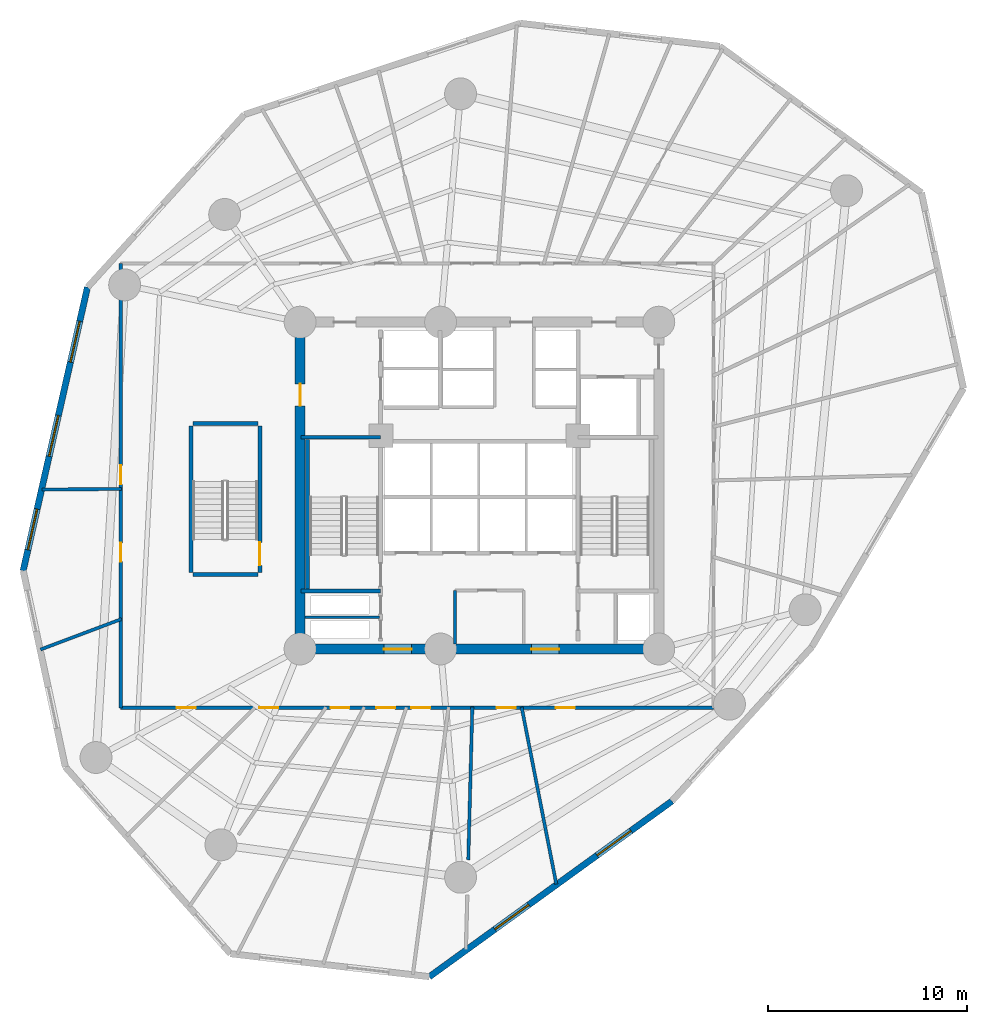
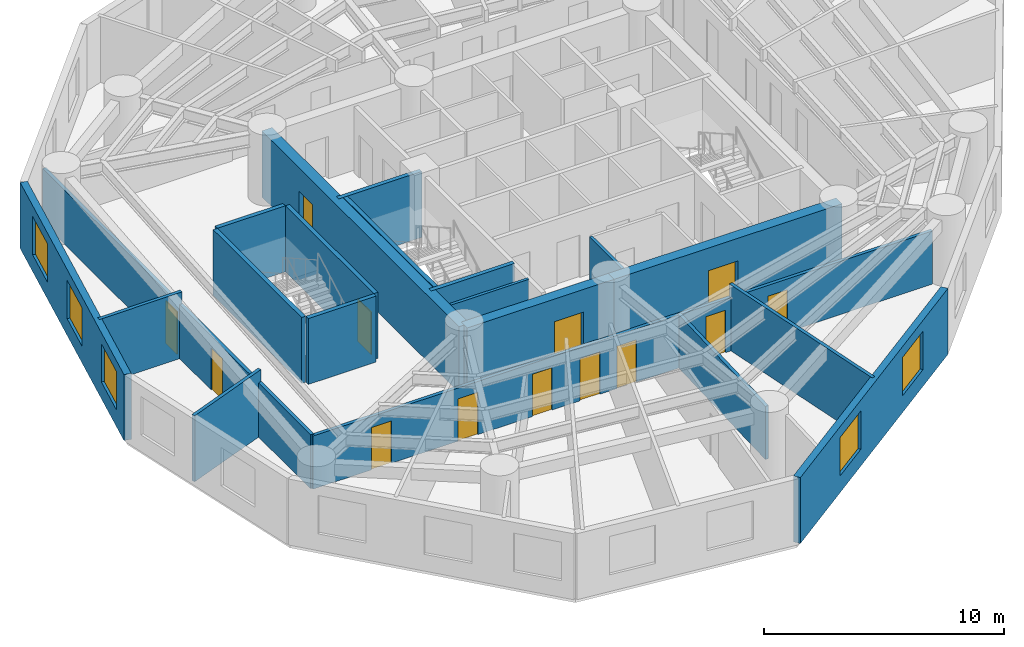
# One storey, part 3 of 7: 20 walls, 13 doors, 5 windows, 18 openings.
"""IFC4 building model written with IfcOpenShell, lengths in metres."""

from ifc_helpers import new_model, si_unit, direction, frame, frame_2d, origin, origin_with_axes, place, context, subcontext, project, spatial, rectangle, extrude, source, transform, mapped, material, layer, layer_set, type_object, element, fill, save


model = new_model("IFC4")

# Units and contexts
model_context = context("Model", 3, precision=1e-05, world=origin(), true_north=direction((0.0, 1.0)))
body_context = subcontext(model_context, "Body", "Model", "MODEL_VIEW")
ifc_project = project(units=[si_unit("LENGTHUNIT", "METRE"), si_unit("AREAUNIT", "SQUARE_METRE"), si_unit("VOLUMEUNIT", "CUBIC_METRE"), si_unit("PLANEANGLEUNIT", "RADIAN"), si_unit("MASSUNIT", "GRAM", prefix="KILO")], contexts=[model_context])

# Site, building, storey
site_placement = place(None, origin())
site = spatial("IfcSite", under=ifc_project, at=site_placement, CompositionType="ELEMENT")
building_placement = place(site_placement, origin())
building = spatial("IfcBuilding", under=site, at=building_placement, Name="Karkom Vertical University and Central Library", CompositionType="ELEMENT")
storey_placement = place(building_placement, frame((0.0, 0.0, 80.5)))
storey = spatial("IfcBuildingStorey", under=building, at=storey_placement, Name="L21", CompositionType="ELEMENT", Elevation=80.5)

# Wall, openings, windows
ifc_material_1 = material(Name="Brick-faced precast concrete C45/55", Category="masonry")
ifc_layer_1 = layer(ifc_material_1, 0.320068359375)
ifc_layer_set_1 = layer_set([ifc_layer_1], Name="Brick-faced precast concrete C45/55")
wall_type_1 = type_object("IfcWallType", Name="ENV-WL-BRK-320", PredefinedType="SOLIDWALL", material=ifc_layer_set_1)
wall_1_placement = place(storey_placement, frame((8.82958984375, 36.453857421875, 0.0), z_axis=(0.0, 0.0, 1.0), x_axis=(-0.221187186637, -0.975231371761, 0.0)))
wall_1 = element("IfcWall", 1, at=wall_1_placement, inside=storey, type_object=wall_type_1, Name="Level 21 Brick-Faced Precast Facade Wall 02", PredefinedType="SOLIDWALL", context=body_context, shape_type="SweptSolid", body=[
    extrude(rectangle(XDim=14.591796875, YDim=0.320068359375, at=frame_2d((7.2958984375, 0.0))), origin(), (0.0, 0.0, 1.0), 3.35009765625),
])
opening_1_placement = place(wall_1_placement, frame((1.753662109375, 0.0, 0.85009765625)))
opening_1 = element("IfcOpeningElement", 2, at=opening_1_placement, cuts=wall_1, Name="Opening WN-03", PredefinedType="OPENING", context=body_context, shape_type="SweptSolid", body=[
    extrude(rectangle(XDim=2.10009765625, YDim=1.949951171875, at=frame_2d((1.050048828125, 0.97509765625))), frame((0.0, 0.169921875, 0.0), z_axis=(0.0, -1.0, 0.0), x_axis=(1.0, 0.0, 0.0)), (0.0, 0.0, 1.0), 0.340087890625),
])
opening_2_placement = place(wall_1_placement, frame((6.600830078125, 0.0, 0.85009765625)))
opening_2 = element("IfcOpeningElement", 3, at=opening_2_placement, cuts=wall_1, Name="Opening WN-03", PredefinedType="OPENING", context=body_context, shape_type="SweptSolid", body=[
    extrude(rectangle(XDim=2.10009765625, YDim=1.949951171875, at=frame_2d((1.050048828125, 0.97509765625))), frame((0.0, 0.169921875, 0.0), z_axis=(0.0, -1.0, 0.0), x_axis=(1.0, 0.0, 0.0)), (0.0, 0.0, 1.0), 0.340087890625),
])
opening_3_placement = place(wall_1_placement, frame((11.413330078125, 0.0, 0.85009765625)))
opening_3 = element("IfcOpeningElement", 4, at=opening_3_placement, cuts=wall_1, Name="Opening WN-03", PredefinedType="OPENING", context=body_context, shape_type="SweptSolid", body=[
    extrude(rectangle(XDim=2.10009765625, YDim=1.949951171875, at=frame_2d((1.050048828125, 0.97509765625))), frame((0.0, 0.169921875, 0.0), z_axis=(0.0, -1.0, 0.0), x_axis=(1.0, 0.0, 0.0)), (0.0, 0.0, 1.0), 0.340087890625),
])
ifc_material_2 = material(Name="Aluminium thermal-break frame with solar-control IGU", Category="aluminium")
window_type = type_object("IfcWindowType", Name="ENV-WIN-WN-03", PartitioningType="SINGLE_PANEL", PredefinedType="WINDOW", material=ifc_material_2)
shared_shape_1 = source(origin_with_axes(), body_context, "Body", "SweptSolid", [
    extrude(rectangle(XDim=2.10009765625, YDim=1.949951171875, at=frame_2d((1.050048828125, 0.97509765625))), frame((0.0, 0.030029296875, 0.0), z_axis=(0.0, -1.0, 0.0), x_axis=(1.0, 0.0, 0.0)), (0.0, 0.0, 1.0), 0.06005859375),
])
window_1_placement = place(opening_1_placement, origin())
window_1 = element("IfcWindow", 5, at=window_1_placement, inside=storey, type_object=window_type, Name="Level 21 Punched Window 2.1", OverallHeight=1.949951171875, OverallWidth=2.10009765625, PartitioningType="SINGLE_PANEL", PredefinedType="WINDOW", context=body_context, shape_type="MappedRepresentation", body=[
    mapped(shared_shape_1, transform((0.0, 0.0, 0.0), scale=1.0)),
])
fill(opening_1, window_1)
window_2_placement = place(opening_2_placement, origin())
window_2 = element("IfcWindow", 6, at=window_2_placement, inside=storey, type_object=window_type, Name="Level 21 Punched Window 2.2", OverallHeight=1.949951171875, OverallWidth=2.10009765625, PartitioningType="SINGLE_PANEL", PredefinedType="WINDOW", context=body_context, shape_type="MappedRepresentation", body=[
    mapped(shared_shape_1, transform((0.0, 0.0, 0.0), scale=1.0)),
])
fill(opening_2, window_2)
window_3_placement = place(opening_3_placement, origin())
window_3 = element("IfcWindow", 7, at=window_3_placement, inside=storey, type_object=window_type, Name="Level 21 Punched Window 2.3", OverallHeight=1.949951171875, OverallWidth=2.10009765625, PartitioningType="SINGLE_PANEL", PredefinedType="WINDOW", context=body_context, shape_type="MappedRepresentation", body=[
    mapped(shared_shape_1, transform((0.0, 0.0, 0.0), scale=1.0)),
])
fill(opening_3, window_3)

wall_2_placement = place(storey_placement, frame((25.983642578125, 1.85009765625, 0.0), z_axis=(0.0, 0.0, 1.0), x_axis=(0.809991859076, 0.586441120856, 0.0)))
wall_2 = element("IfcWall", 8, at=wall_2_placement, inside=storey, type_object=wall_type_1, Name="Level 21 Brick-Faced Precast Facade Wall 06", PredefinedType="SOLIDWALL", context=body_context, shape_type="SweptSolid", body=[
    extrude(rectangle(XDim=15.034912109375, YDim=0.320068359375, at=frame_2d((7.517578125, 0.0))), origin(), (0.0, 0.0, 1.0), 3.35009765625),
])
opening_4_placement = place(wall_2_placement, frame((4.060791015625, 0.0, 0.85009765625)))
opening_4 = element("IfcOpeningElement", 9, at=opening_4_placement, cuts=wall_2, Name="Opening WN-03", PredefinedType="OPENING", context=body_context, shape_type="SweptSolid", body=[
    extrude(rectangle(XDim=2.10009765625, YDim=1.949951171875, at=frame_2d((1.050048828125, 0.97509765625))), frame((0.0, 0.169921875, 0.0), z_axis=(0.0, -1.0, 0.0), x_axis=(1.0, 0.0, 0.0)), (0.0, 0.0, 1.0), 0.340087890625),
])
opening_5_placement = place(wall_2_placement, frame((10.390380859375, 0.0, 0.85009765625)))
opening_5 = element("IfcOpeningElement", 10, at=opening_5_placement, cuts=wall_2, Name="Opening WN-03", PredefinedType="OPENING", context=body_context, shape_type="SweptSolid", body=[
    extrude(rectangle(XDim=2.10009765625, YDim=1.949951171875, at=frame_2d((1.050048828125, 0.97509765625))), frame((0.0, 0.169921875, 0.0), z_axis=(0.0, -1.0, 0.0), x_axis=(1.0, 0.0, 0.0)), (0.0, 0.0, 1.0), 0.340087890625),
])
window_4_placement = place(opening_4_placement, origin())
window_4 = element("IfcWindow", 11, at=window_4_placement, inside=storey, type_object=window_type, Name="Level 21 Punched Window 6.1", OverallHeight=1.949951171875, OverallWidth=2.10009765625, PartitioningType="SINGLE_PANEL", PredefinedType="WINDOW", context=body_context, shape_type="MappedRepresentation", body=[
    mapped(shared_shape_1, transform((0.0, 0.0, 0.0), scale=1.0)),
])
fill(opening_4, window_4)
window_5_placement = place(opening_5_placement, origin())
window_5 = element("IfcWindow", 12, at=window_5_placement, inside=storey, type_object=window_type, Name="Level 21 Punched Window 6.2", OverallHeight=1.949951171875, OverallWidth=2.10009765625, PartitioningType="SINGLE_PANEL", PredefinedType="WINDOW", context=body_context, shape_type="MappedRepresentation", body=[
    mapped(shared_shape_1, transform((0.0, 0.0, 0.0), scale=1.0)),
])
fill(opening_5, window_5)

# Wall, openings, doors
ifc_material_3 = material(Name="Insulated metal-stud drywall 160mm", Category="gypsum")
ifc_layer_2 = layer(ifc_material_3, 0.159912109375)
ifc_layer_set_2 = layer_set([ifc_layer_2], Name="Insulated metal-stud drywall 160mm")
wall_type_2 = type_object("IfcWallType", Name="INT-WL-COR-160", PredefinedType="PARTITIONING", material=ifc_layer_set_2)
wall_3_placement = place(storey_placement, frame((40.25, 15.35009765625, 0.0), z_axis=(0.0, 0.0, 1.0), x_axis=(-1.0, 0.0, 0.0)))
wall_3 = element("IfcWall", 13, at=wall_3_placement, inside=storey, type_object=wall_type_2, Name="Level 21 Interior Partition Wall L21-CORW-CW-001", PredefinedType="PARTITIONING", context=body_context, shape_type="SweptSolid", body=[
    extrude(rectangle(XDim=29.75, YDim=0.159912109375, at=frame_2d((14.875, 0.0))), origin(), (0.0, 0.0, 1.0), 2.699951171875),
])
opening_6_placement = place(wall_3_placement, frame((25.98828125, 0.0, 0.0)))
opening_6 = element("IfcOpeningElement", 14, at=opening_6_placement, cuts=wall_3, Name="Opening FD-RM2", PredefinedType="OPENING", context=body_context, shape_type="SweptSolid", body=[
    extrude(rectangle(XDim=0.9599609375, YDim=2.14990234375, at=frame_2d((0.47998046875, 1.074951171875))), frame((0.0, 0.08984375, 0.0), z_axis=(0.0, -1.0, 0.0), x_axis=(1.0, 0.0, 0.0)), (0.0, 0.0, 1.0), 0.179931640625),
])
opening_7_placement = place(wall_3_placement, frame((21.83740234375, 0.0, 0.0)))
opening_7 = element("IfcOpeningElement", 15, at=opening_7_placement, cuts=wall_3, Name="Opening D-RM1", PredefinedType="OPENING", context=body_context, shape_type="SweptSolid", body=[
    extrude(rectangle(XDim=0.949951171875, YDim=2.14990234375, at=frame_2d((0.47509765625, 1.074951171875))), frame((0.0, 0.08984375, 0.0), z_axis=(0.0, -1.0, 0.0), x_axis=(1.0, 0.0, 0.0)), (0.0, 0.0, 1.0), 0.179931640625),
])
opening_8_placement = place(wall_3_placement, frame((18.2724609375, 0.0, 0.0)))
opening_8 = element("IfcOpeningElement", 16, at=opening_8_placement, cuts=wall_3, Name="Opening D-RM1", PredefinedType="OPENING", context=body_context, shape_type="SweptSolid", body=[
    extrude(rectangle(XDim=0.949951171875, YDim=2.14990234375, at=frame_2d((0.47509765625, 1.074951171875))), frame((0.0, 0.08984375, 0.0), z_axis=(0.0, -1.0, 0.0), x_axis=(1.0, 0.0, 0.0)), (0.0, 0.0, 1.0), 0.179931640625),
])
opening_9_placement = place(wall_3_placement, frame((15.977294921875, 0.0, 0.0)))
opening_9 = element("IfcOpeningElement", 17, at=opening_9_placement, cuts=wall_3, Name="Opening D-RM1", PredefinedType="OPENING", context=body_context, shape_type="SweptSolid", body=[
    extrude(rectangle(XDim=0.949951171875, YDim=2.14990234375, at=frame_2d((0.47509765625, 1.074951171875))), frame((0.0, 0.08984375, 0.0), z_axis=(0.0, -1.0, 0.0), x_axis=(1.0, 0.0, 0.0)), (0.0, 0.0, 1.0), 0.179931640625),
])
opening_10_placement = place(wall_3_placement, frame((14.2099609375, 0.0, 0.0)))
opening_10 = element("IfcOpeningElement", 18, at=opening_10_placement, cuts=wall_3, Name="Opening D-RM1", PredefinedType="OPENING", context=body_context, shape_type="SweptSolid", body=[
    extrude(rectangle(XDim=0.949951171875, YDim=2.14990234375, at=frame_2d((0.47509765625, 1.074951171875))), frame((0.0, 0.08984375, 0.0), z_axis=(0.0, -1.0, 0.0), x_axis=(1.0, 0.0, 0.0)), (0.0, 0.0, 1.0), 0.179931640625),
])
opening_11_placement = place(wall_3_placement, frame((9.9375, 0.0, 0.0)))
opening_11 = element("IfcOpeningElement", 19, at=opening_11_placement, cuts=wall_3, Name="Opening D-RM1", PredefinedType="OPENING", context=body_context, shape_type="SweptSolid", body=[
    extrude(rectangle(XDim=0.949951171875, YDim=2.14990234375, at=frame_2d((0.47509765625, 1.074951171875))), frame((0.0, 0.08984375, 0.0), z_axis=(0.0, -1.0, 0.0), x_axis=(1.0, 0.0, 0.0)), (0.0, 0.0, 1.0), 0.179931640625),
])
opening_12_placement = place(wall_3_placement, frame((6.96240234375, 0.0, 0.0)))
opening_12 = element("IfcOpeningElement", 20, at=opening_12_placement, cuts=wall_3, Name="Opening D-RM1", PredefinedType="OPENING", context=body_context, shape_type="SweptSolid", body=[
    extrude(rectangle(XDim=0.949951171875, YDim=2.14990234375, at=frame_2d((0.47509765625, 1.074951171875))), frame((0.0, 0.08984375, 0.0), z_axis=(0.0, -1.0, 0.0), x_axis=(1.0, 0.0, 0.0)), (0.0, 0.0, 1.0), 0.179931640625),
])
ifc_material_4 = material(Name="Fire-rated oak veneer door", Category="wood")
door_type_1 = type_object("IfcDoorType", Name="INT-DR-FRM2", OperationType="NOTDEFINED", PredefinedType="DOOR", material=ifc_material_4)
shared_shape_2 = source(origin_with_axes(), body_context, "Body", "SweptSolid", [
    extrude(rectangle(XDim=0.9599609375, YDim=2.14990234375, at=frame_2d((0.47998046875, 1.074951171875))), frame((0.0, 0.02490234375, 0.0), z_axis=(0.0, -1.0, 0.0), x_axis=(1.0, 0.0, 0.0)), (0.0, 0.0, 1.0), 0.050048828125),
])
door_1_placement = place(opening_6_placement, origin())
door_1 = element("IfcDoor", 21, at=door_1_placement, inside=storey, type_object=door_type_1, Name="Level 21 Room Entry Door 010", OperationType="SINGLE_SWING_RIGHT", OverallHeight=2.14990234375, OverallWidth=0.9599609375, PredefinedType="DOOR", context=body_context, shape_type="MappedRepresentation", body=[
    mapped(shared_shape_2, transform((0.0, 0.0, 0.0), scale=1.0)),
])
fill(opening_6, door_1)
ifc_material_5 = material(Name="Solid-core oak veneer door", Category="wood")
door_type_2 = type_object("IfcDoorType", Name="INT-DR-RM1", OperationType="NOTDEFINED", PredefinedType="DOOR", material=ifc_material_5)
shared_shape_3 = source(origin_with_axes(), body_context, "Body", "SweptSolid", [
    extrude(rectangle(XDim=0.949951171875, YDim=2.14990234375, at=frame_2d((0.47509765625, 1.074951171875))), frame((0.0, 0.02490234375, 0.0), z_axis=(0.0, -1.0, 0.0), x_axis=(1.0, 0.0, 0.0)), (0.0, 0.0, 1.0), 0.050048828125),
])
door_2_placement = place(opening_7_placement, origin())
door_2 = element("IfcDoor", 22, at=door_2_placement, inside=storey, type_object=door_type_2, Name="Level 21 Room Entry Door 020", OperationType="SINGLE_SWING_LEFT", OverallHeight=2.14990234375, OverallWidth=0.949951171875, PredefinedType="DOOR", context=body_context, shape_type="MappedRepresentation", body=[
    mapped(shared_shape_3, transform((0.0, 0.0, 0.0), scale=1.0)),
])
fill(opening_7, door_2)
door_3_placement = place(opening_8_placement, origin())
door_3 = element("IfcDoor", 23, at=door_3_placement, inside=storey, type_object=door_type_2, Name="Level 21 Room Entry Door 030", OperationType="SINGLE_SWING_RIGHT", OverallHeight=2.14990234375, OverallWidth=0.949951171875, PredefinedType="DOOR", context=body_context, shape_type="MappedRepresentation", body=[
    mapped(shared_shape_3, transform((0.0, 0.0, 0.0), scale=1.0)),
])
fill(opening_8, door_3)
door_4_placement = place(opening_9_placement, origin())
door_4 = element("IfcDoor", 24, at=door_4_placement, inside=storey, type_object=door_type_2, Name="Level 21 Room Entry Door 040", OperationType="SINGLE_SWING_LEFT", OverallHeight=2.14990234375, OverallWidth=0.949951171875, PredefinedType="DOOR", context=body_context, shape_type="MappedRepresentation", body=[
    mapped(shared_shape_3, transform((0.0, 0.0, 0.0), scale=1.0)),
])
fill(opening_9, door_4)
door_5_placement = place(opening_10_placement, origin())
door_5 = element("IfcDoor", 25, at=door_5_placement, inside=storey, type_object=door_type_2, Name="Level 21 Room Entry Door 050", OperationType="SINGLE_SWING_RIGHT", OverallHeight=2.14990234375, OverallWidth=0.949951171875, PredefinedType="DOOR", context=body_context, shape_type="MappedRepresentation", body=[
    mapped(shared_shape_3, transform((0.0, 0.0, 0.0), scale=1.0)),
])
fill(opening_10, door_5)
door_6_placement = place(opening_11_placement, origin())
door_6 = element("IfcDoor", 26, at=door_6_placement, inside=storey, type_object=door_type_2, Name="Level 21 Room Entry Door 070", OperationType="SINGLE_SWING_LEFT", OverallHeight=2.14990234375, OverallWidth=0.949951171875, PredefinedType="DOOR", context=body_context, shape_type="MappedRepresentation", body=[
    mapped(shared_shape_3, transform((0.0, 0.0, 0.0), scale=1.0)),
])
fill(opening_11, door_6)
door_7_placement = place(opening_12_placement, origin())
door_7 = element("IfcDoor", 27, at=door_7_placement, inside=storey, type_object=door_type_2, Name="Level 21 Room Entry Door 080", OperationType="SINGLE_SWING_RIGHT", OverallHeight=2.14990234375, OverallWidth=0.949951171875, PredefinedType="DOOR", context=body_context, shape_type="MappedRepresentation", body=[
    mapped(shared_shape_3, transform((0.0, 0.0, 0.0), scale=1.0)),
])
fill(opening_12, door_7)

wall_4_placement = place(storey_placement, frame((10.5, 15.35009765625, 0.0), z_axis=(0.0, 0.0, 1.0), x_axis=(0.0, 1.0, 0.0)))
wall_4 = element("IfcWall", 28, at=wall_4_placement, inside=storey, type_object=wall_type_2, Name="Level 21 Interior Partition Wall L21-CORW-CW-002", PredefinedType="PARTITIONING", context=body_context, shape_type="SweptSolid", body=[
    extrude(rectangle(XDim=22.2998046875, YDim=0.159912109375, at=frame_2d((11.14990234375, 0.0))), origin(), (0.0, 0.0, 1.0), 2.75),
])
opening_13_placement = place(wall_4_placement, frame((7.330078125, 0.0, 0.0)))
opening_13 = element("IfcOpeningElement", 29, at=opening_13_placement, cuts=wall_4, Name="Opening D-RM1", PredefinedType="OPENING", context=body_context, shape_type="SweptSolid", body=[
    extrude(rectangle(XDim=0.949951171875, YDim=2.14990234375, at=frame_2d((0.47509765625, 1.074951171875))), frame((0.0, 0.08984375, 0.0), z_axis=(0.0, -1.0, 0.0), x_axis=(1.0, 0.0, 0.0)), (0.0, 0.0, 1.0), 0.179931640625),
])
opening_14_placement = place(wall_4_placement, frame((11.215087890625, 0.0, 0.0)))
opening_14 = element("IfcOpeningElement", 30, at=opening_14_placement, cuts=wall_4, Name="Opening D-RM1", PredefinedType="OPENING", context=body_context, shape_type="SweptSolid", body=[
    extrude(rectangle(XDim=0.949951171875, YDim=2.14990234375, at=frame_2d((0.47509765625, 1.074951171875))), frame((0.0, 0.08984375, 0.0), z_axis=(0.0, -1.0, 0.0), x_axis=(1.0, 0.0, 0.0)), (0.0, 0.0, 1.0), 0.179931640625),
])
door_8_placement = place(opening_13_placement, origin())
door_8 = element("IfcDoor", 31, at=door_8_placement, inside=storey, type_object=door_type_2, Name="Level 21 Room Entry Door 000", OperationType="SINGLE_SWING_LEFT", OverallHeight=2.14990234375, OverallWidth=0.949951171875, PredefinedType="DOOR", context=body_context, shape_type="MappedRepresentation", body=[
    mapped(shared_shape_3, transform((0.0, 0.0, 0.0), scale=1.0)),
])
fill(opening_13, door_8)
door_9_placement = place(opening_14_placement, origin())
door_9 = element("IfcDoor", 32, at=door_9_placement, inside=storey, type_object=door_type_2, Name="Level 21 Room Entry Door 240", OperationType="SINGLE_SWING_RIGHT", OverallHeight=2.14990234375, OverallWidth=0.949951171875, PredefinedType="DOOR", context=body_context, shape_type="MappedRepresentation", body=[
    mapped(shared_shape_3, transform((0.0, 0.0, 0.0), scale=1.0)),
])
fill(opening_14, door_9)

# Walls
wall_5_placement = place(storey_placement, frame((30.617919921875, 15.37939453125, 0.0), z_axis=(0.0, 0.0, 1.0), x_axis=(0.192283990789, -0.98133932301, 0.0)))
element("IfcWall", 33, at=wall_5_placement, inside=storey, type_object=wall_type_2, Name="Level 21 Interior Partition Wall L21-PW-011", PredefinedType="PARTITIONING", context=body_context, shape_type="SweptSolid", body=[
    extrude(rectangle(XDim=9.045166015625, YDim=0.159912109375, at=frame_2d((4.5224609375, 0.0))), origin(), (0.0, 0.0, 1.0), 3.35009765625),
])
wall_6_placement = place(storey_placement, frame((28.143798828125, 15.39501953125, 0.0), z_axis=(0.0, 0.0, 1.0), x_axis=(-0.026661429297, -0.999644520911, 0.0)))
element("IfcWall", 34, at=wall_6_placement, inside=storey, type_object=wall_type_2, Name="Level 21 Interior Partition Wall L21-PW-009", PredefinedType="PARTITIONING", context=body_context, shape_type="SweptSolid", body=[
    extrude(rectangle(XDim=7.673583984375, YDim=0.159912109375, at=frame_2d((3.8369140625, 0.0))), origin(), (0.0, 0.0, 1.0), 2.699951171875),
])
wall_7_placement = place(storey_placement, frame((10.5419921875, 19.80419921875, 0.0), z_axis=(0.0, 0.0, 1.0), x_axis=(-0.935885076332, -0.352305441199, 0.0)))
element("IfcWall", 35, at=wall_7_placement, inside=storey, type_object=wall_type_2, Name="Level 21 Interior Partition Wall L21-PW-001", PredefinedType="PARTITIONING", context=body_context, shape_type="SweptSolid", body=[
    extrude(rectangle(XDim=4.344970703125, YDim=0.159912109375, at=frame_2d((2.17236328125, 0.0))), origin(), (0.0, 0.0, 1.0), 3.35009765625),
])
wall_8_placement = place(storey_placement, frame((6.5546875, 26.30322265625, 0.0), z_axis=(0.0, 0.0, 1.0), x_axis=(0.999980911257, 0.006178763737, 0.0)))
element("IfcWall", 36, at=wall_8_placement, inside=storey, type_object=wall_type_2, Name="Level 21 Interior Partition Wall L21-PW-002", PredefinedType="PARTITIONING", context=body_context, shape_type="SweptSolid", body=[
    extrude(rectangle(XDim=3.99072265625, YDim=0.159912109375, at=frame_2d((1.995361328125, 0.0))), origin(), (0.0, 0.0, 1.0), 3.35009765625),
])
ifc_material_6 = material(Name="Metal-stud gypsum partition 140mm", Category="gypsum")
ifc_layer_3 = layer(ifc_material_6, 0.139892578125)
ifc_layer_set_3 = layer_set([ifc_layer_3], Name="Metal-stud gypsum partition 140mm")
wall_type_3 = type_object("IfcWallType", Name="INT-WL-SUB-140", PredefinedType="PARTITIONING", material=ifc_layer_set_3)
wall_9_placement = place(storey_placement, frame((27.280029296875, 18.550048828125, 0.0), z_axis=(0.0, 0.0, 1.0), x_axis=(0.0, 1.0, 0.0)))
element("IfcWall", 37, at=wall_9_placement, inside=storey, type_object=wall_type_3, Name="Level 21 Interior Partition Wall L21-CW-KBAY-W", PredefinedType="PARTITIONING", context=body_context, shape_type="SweptSolid", body=[
    extrude(rectangle(XDim=2.68994140625, YDim=0.139892578125, at=frame_2d((1.344970703125, 0.0))), origin(), (0.0, 0.0, 1.0), 3.35009765625),
])
ifc_layer_4 = layer(ifc_material_6, 0.139892578125)
ifc_layer_set_4 = layer_set([ifc_layer_4], Name="Metal-stud gypsum partition 140mm")
wall_type_4 = type_object("IfcWallType", Name="INT-WL-SUB-140H", PredefinedType="PARTITIONING", material=ifc_layer_set_4)
wall_10_placement = place(storey_placement, frame((19.757080078125, 19.889892578125, 0.0), z_axis=(0.0, 0.0, 1.0), x_axis=(1.0, 0.0, 0.0)))
element("IfcWall", 38, at=wall_10_placement, inside=storey, type_object=wall_type_4, Name="Level 21 Interior Partition Wall L21-CW-RIS-W", PredefinedType="PARTITIONING", context=body_context, shape_type="SweptSolid", body=[
    extrude(rectangle(XDim=3.7392578125, YDim=0.139892578125, at=frame_2d((1.86962890625, 0.0))), origin(), (0.0, 0.0, 1.0), 3.35009765625),
])

# Wall, opening, door
ifc_material_7 = material(Name="Concrete C50/60", Category="concrete")
ifc_layer_5 = layer(ifc_material_7, 0.5)
ifc_layer_set_5 = layer_set([ifc_layer_5], Name="Concrete C50/60")
wall_type_5 = type_object("IfcWallType", Name="STR-WL-CW-500", PredefinedType="SHEAR", material=ifc_layer_set_5)
wall_11_placement = place(storey_placement, frame((19.5, 18.300048828125, 0.0), z_axis=(0.0, 0.0, 1.0), x_axis=(1.0, 0.0, 0.0)))
wall_11 = element("IfcWall", 39, at=wall_11_placement, inside=storey, type_object=wall_type_5, Name="Level 21 Central Core Shear Wall SW1", PredefinedType="SHEAR", context=body_context, shape_type="SweptSolid", body=[
    extrude(rectangle(XDim=7.050048828125, YDim=0.5, at=frame_2d((3.52490234375, 0.0))), origin(), (0.0, 0.0, 1.0), 3.35009765625),
])
opening_15_placement = place(wall_11_placement, frame((4.199951171875, 0.0, 0.0)))
opening_15 = element("IfcOpeningElement", 40, at=opening_15_placement, cuts=wall_11, Name="Opening FD-CLB", PredefinedType="OPENING", context=body_context, shape_type="SweptSolid", body=[
    extrude(rectangle(XDim=1.39990234375, YDim=2.199951171875, at=frame_2d((0.699951171875, 1.10009765625))), frame((0.0, 0.260009765625, 0.0), z_axis=(0.0, -1.0, 0.0), x_axis=(1.0, 0.0, 0.0)), (0.0, 0.0, 1.0), 0.52001953125),
])
ifc_material_8 = material(Name="Painted steel fire door", Category="steel")
door_type_3 = type_object("IfcDoorType", Name="INT-DR-CLB", OperationType="DOUBLE_DOOR_SINGLE_SWING", PredefinedType="DOOR", material=ifc_material_8)
shared_shape_4 = source(origin_with_axes(), body_context, "Body", "SweptSolid", [
    extrude(rectangle(XDim=1.39990234375, YDim=2.199951171875, at=frame_2d((0.699951171875, 1.10009765625))), frame((0.0, 0.02490234375, 0.0), z_axis=(0.0, -1.0, 0.0), x_axis=(1.0, 0.0, 0.0)), (0.0, 0.0, 1.0), 0.050048828125),
])
door_10_placement = place(opening_15_placement, origin())
door_10 = element("IfcDoor", 41, at=door_10_placement, inside=storey, type_object=door_type_3, Name="Level 21 South Core Lobby West Exit Door", OperationType="DOUBLE_DOOR_SINGLE_SWING", OverallHeight=2.199951171875, OverallWidth=1.39990234375, PredefinedType="DOOR", context=body_context, shape_type="MappedRepresentation", body=[
    mapped(shared_shape_4, transform((0.0, 0.0, 0.0), scale=1.0)),
])
fill(opening_15, door_10)

wall_12_placement = place(storey_placement, frame((26.550048828125, 18.300048828125, 0.0), z_axis=(0.0, 0.0, 1.0), x_axis=(1.0, 0.0, 0.0)))
wall_12 = element("IfcWall", 42, at=wall_12_placement, inside=storey, type_object=wall_type_5, Name="Level 21 Central Core Shear Wall SW2", PredefinedType="SHEAR", context=body_context, shape_type="SweptSolid", body=[
    extrude(rectangle(XDim=10.949951171875, YDim=0.5, at=frame_2d((5.47509765625, 0.0))), origin(), (0.0, 0.0, 1.0), 3.35009765625),
])
opening_16_placement = place(wall_12_placement, frame((4.550048828125, 0.0, 0.0)))
opening_16 = element("IfcOpeningElement", 43, at=opening_16_placement, cuts=wall_12, Name="Opening FD-CLB", PredefinedType="OPENING", context=body_context, shape_type="SweptSolid", body=[
    extrude(rectangle(XDim=1.39990234375, YDim=2.199951171875, at=frame_2d((0.699951171875, 1.10009765625))), frame((0.0, 0.260009765625, 0.0), z_axis=(0.0, -1.0, 0.0), x_axis=(1.0, 0.0, 0.0)), (0.0, 0.0, 1.0), 0.52001953125),
])
door_11_placement = place(opening_16_placement, origin())
door_11 = element("IfcDoor", 44, at=door_11_placement, inside=storey, type_object=door_type_3, Name="Level 21 South Core Lobby East Exit Door", OperationType="DOUBLE_DOOR_SINGLE_SWING", OverallHeight=2.199951171875, OverallWidth=1.39990234375, PredefinedType="DOOR", context=body_context, shape_type="MappedRepresentation", body=[
    mapped(shared_shape_4, transform((0.0, 0.0, 0.0), scale=1.0)),
])
fill(opening_16, door_11)

wall_13_placement = place(storey_placement, frame((19.5, 34.699951171875, 0.0), z_axis=(0.0, 0.0, 1.0), x_axis=(0.0, -1.0, 0.0)))
wall_13 = element("IfcWall", 45, at=wall_13_placement, inside=storey, type_object=wall_type_5, Name="Level 21 Central Core Shear Wall WW", PredefinedType="SHEAR", context=body_context, shape_type="SweptSolid", body=[
    extrude(rectangle(XDim=16.39990234375, YDim=0.5, at=frame_2d((8.199951171875, 0.0))), origin(), (0.0, 0.0, 1.0), 3.35009765625),
])
opening_17_placement = place(wall_13_placement, frame((3.10009765625, 0.0, 0.0)))
opening_17 = element("IfcOpeningElement", 46, at=opening_17_placement, cuts=wall_13, Name="Opening FD-FFL", PredefinedType="OPENING", context=body_context, shape_type="SweptSolid", body=[
    extrude(rectangle(XDim=1.10009765625, YDim=2.14990234375, at=frame_2d((0.550048828125, 1.074951171875))), frame((0.0, 0.260009765625, 0.0), z_axis=(0.0, -1.0, 0.0), x_axis=(1.0, 0.0, 0.0)), (0.0, 0.0, 1.0), 0.52001953125),
])
ifc_material_9 = material(Name="Painted steel smoke-seal fire door", Category="steel")
door_type_4 = type_object("IfcDoorType", Name="INT-DR-FFL", OperationType="NOTDEFINED", PredefinedType="DOOR", material=ifc_material_9)
shared_shape_5 = source(origin_with_axes(), body_context, "Body", "SweptSolid", [
    extrude(rectangle(XDim=1.10009765625, YDim=2.14990234375, at=frame_2d((0.550048828125, 1.074951171875))), frame((0.0, 0.02490234375, 0.0), z_axis=(0.0, -1.0, 0.0), x_axis=(1.0, 0.0, 0.0)), (0.0, 0.0, 1.0), 0.050048828125),
])
door_12_placement = place(opening_17_placement, origin())
door_12 = element("IfcDoor", 47, at=door_12_placement, inside=storey, type_object=door_type_4, Name="Level 21 West Corridor Firefighting Lobby Door", OperationType="SINGLE_SWING_RIGHT", OverallHeight=2.14990234375, OverallWidth=1.10009765625, PredefinedType="DOOR", context=body_context, shape_type="MappedRepresentation", body=[
    mapped(shared_shape_5, transform((0.0, 0.0, 0.0), scale=1.0)),
])
fill(opening_17, door_12)

# Walls
ifc_material_10 = material(Name="Concrete C45/55", Category="concrete")
ifc_layer_6 = layer(ifc_material_10, 0.199951171875)
ifc_layer_set_6 = layer_set([ifc_layer_6], Name="Concrete C45/55")
wall_type_6 = type_object("IfcWallType", Name="STR-WL-ST-200", PredefinedType="SHEAR", material=ifc_layer_set_6)
wall_14_placement = place(storey_placement, frame((19.875, 21.320068359375, 0.0), z_axis=(0.0, 0.0, 1.0), x_axis=(0.0, 1.0, 0.0)))
element("IfcWall", 48, at=wall_14_placement, inside=storey, type_object=wall_type_6, Name="Level 21 Core Shaft Wall L21-CW-ST1-W", PredefinedType="SHEAR", context=body_context, shape_type="SweptSolid", body=[
    extrude(rectangle(XDim=7.5, YDim=0.199951171875, at=frame_2d((3.75, 0.0))), origin(), (0.0, 0.0, 1.0), 3.35009765625),
])
wall_15_placement = place(storey_placement, frame((14.014892578125, 22.14990234375, 0.0), z_axis=(0.0, 0.0, 1.0), x_axis=(0.0, 1.0, 0.0)))
element("IfcWall", 49, at=wall_15_placement, inside=storey, type_object=wall_type_6, Name="Level 21 Core Shaft Wall L21-W-ST3-W", PredefinedType="SHEAR", context=body_context, shape_type="SweptSolid", body=[
    extrude(rectangle(XDim=7.35009765625, YDim=0.199951171875, at=frame_2d((3.675048828125, 0.0))), origin(), (0.0, 0.0, 1.0), 3.35009765625),
])

# Wall, opening, door
wall_16_placement = place(storey_placement, frame((17.485107421875, 22.14990234375, 0.0), z_axis=(0.0, 0.0, 1.0), x_axis=(0.0, 1.0, 0.0)))
wall_16 = element("IfcWall", 50, at=wall_16_placement, inside=storey, type_object=wall_type_6, Name="Level 21 Core Shaft Wall L21-W-ST3-E", PredefinedType="SHEAR", context=body_context, shape_type="SweptSolid", body=[
    extrude(rectangle(XDim=7.35009765625, YDim=0.199951171875, at=frame_2d((3.675048828125, 0.0))), origin(), (0.0, 0.0, 1.0), 3.35009765625),
])
opening_18_placement = place(wall_16_placement, frame((0.35009765625, 0.0, 0.0)))
opening_18 = element("IfcOpeningElement", 51, at=opening_18_placement, cuts=wall_16, Name="Opening FD-ST1", PredefinedType="OPENING", context=body_context, shape_type="SweptSolid", body=[
    extrude(rectangle(XDim=1.14990234375, YDim=2.14990234375, at=frame_2d((0.574951171875, 1.074951171875))), frame((0.0, 0.10986328125, 0.0), z_axis=(0.0, -1.0, 0.0), x_axis=(1.0, 0.0, 0.0)), (0.0, 0.0, 1.0), 0.219970703125),
])
ifc_material_11 = material(Name="Painted steel acoustic fire door", Category="steel")
door_type_5 = type_object("IfcDoorType", Name="INT-DR-ST1", OperationType="NOTDEFINED", PredefinedType="DOOR", material=ifc_material_11)
shared_shape_6 = source(origin_with_axes(), body_context, "Body", "SweptSolid", [
    extrude(rectangle(XDim=1.14990234375, YDim=2.14990234375, at=frame_2d((0.574951171875, 1.074951171875))), frame((0.0, 0.02490234375, 0.0), z_axis=(0.0, -1.0, 0.0), x_axis=(1.0, 0.0, 0.0)), (0.0, 0.0, 1.0), 0.050048828125),
])
door_13_placement = place(opening_18_placement, origin())
door_13 = element("IfcDoor", 52, at=door_13_placement, inside=storey, type_object=door_type_5, Name="Level 21 Stair ST-3 Fire Door", OperationType="SINGLE_SWING_RIGHT", OverallHeight=2.14990234375, OverallWidth=1.14990234375, PredefinedType="DOOR", context=body_context, shape_type="MappedRepresentation", body=[
    mapped(shared_shape_6, transform((0.0, 0.0, 0.0), scale=1.0)),
])
fill(opening_18, door_13)

# Walls
for number, where, z_axis, x_axis, name in (
    (53, (19.550048828125, 21.215087890625, 0.0), (0.0, 0.0, 1.0), (1.0, 0.0, 0.0), "Level 21 Core Shaft Wall L21-CW-ST1-S"),
    (54, (19.550048828125, 28.925048828125, 0.0), (0.0, 0.0, 1.0), (1.0, 0.0, 0.0), "Level 21 Core Shaft Wall L21-CW-ST1-N"),
):
    element("IfcWall", number, at=place(storey_placement, frame(where, z_axis=z_axis, x_axis=x_axis)), inside=storey, type_object=wall_type_6, Name=name, PredefinedType="SHEAR", context=body_context, shape_type="SweptSolid", body=[
        extrude(rectangle(XDim=3.994873046875, YDim=0.199951171875, at=frame_2d((1.99755859375, 0.0))), origin(), (0.0, 0.0, 1.0), 3.35009765625),
    ])
for number, where, z_axis, x_axis, name in (
    (55, (14.1201171875, 22.044921875, 0.0), (0.0, 0.0, 1.0), (1.0, 0.0, 0.0), "Level 21 Core Shaft Wall L21-W-ST3-S"),
    (56, (14.1201171875, 29.60498046875, 0.0), (0.0, 0.0, 1.0), (1.0, 0.0, 0.0), "Level 21 Core Shaft Wall L21-W-ST3-N"),
):
    element("IfcWall", number, at=place(storey_placement, frame(where, z_axis=z_axis, x_axis=x_axis)), inside=storey, type_object=wall_type_6, Name=name, PredefinedType="SHEAR", context=body_context, shape_type="SweptSolid", body=[
        extrude(rectangle(XDim=3.259765625, YDim=0.199951171875, at=frame_2d((1.6298828125, 0.0))), origin(), (0.0, 0.0, 1.0), 3.35009765625),
    ])

save(model, "model.ifc")
